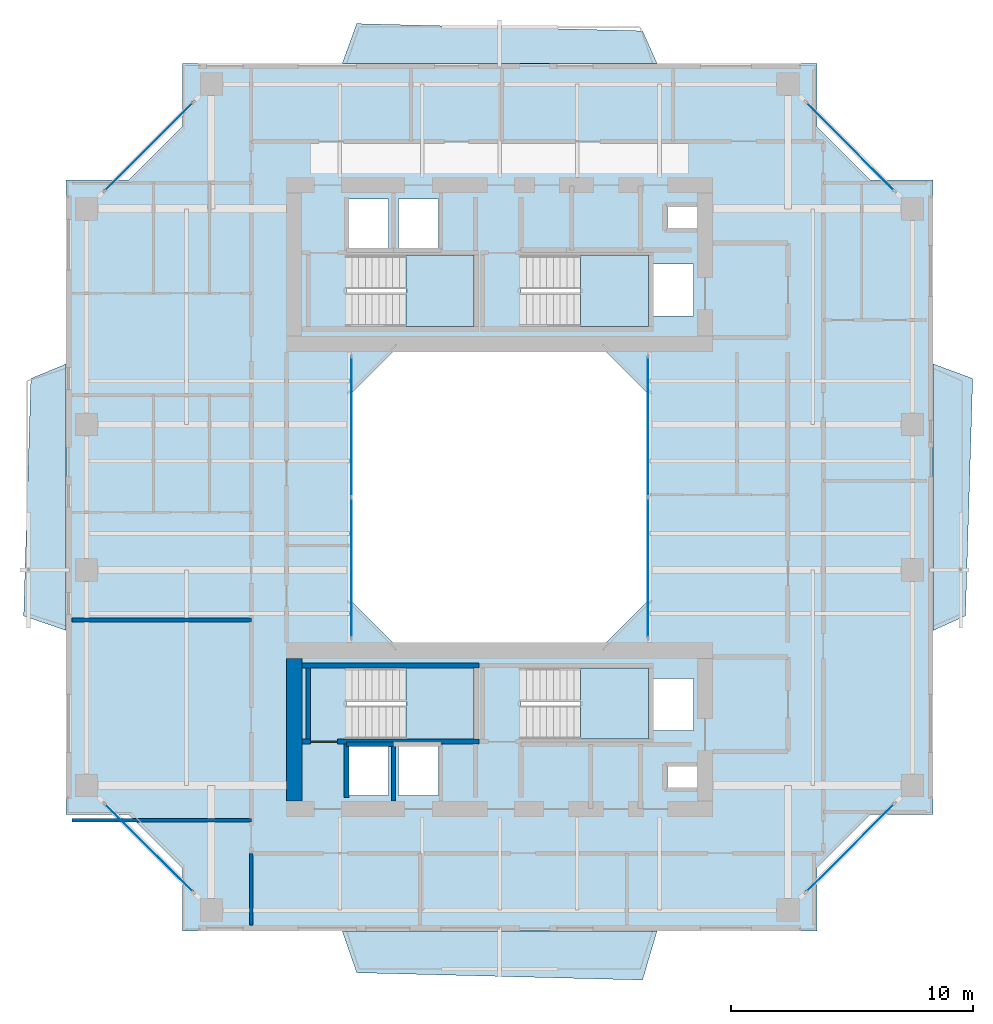
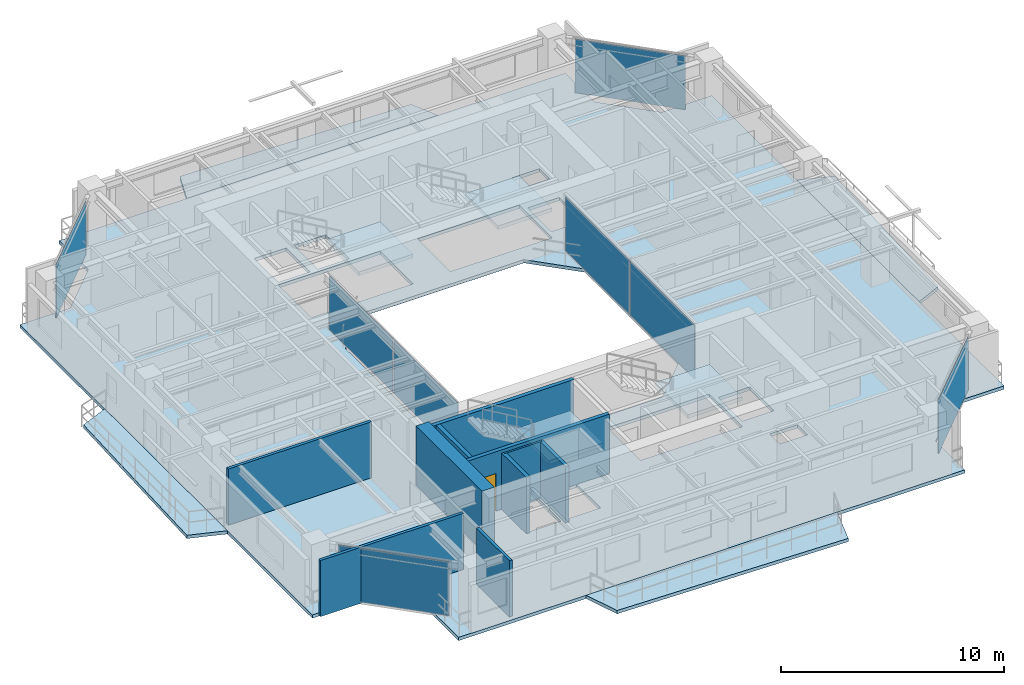
# One storey, part 9 of 17: 10 walls, 9 slabs, 8 plates, 1 door, 1 opening, 10 elements without a shape of their own.
"""IFC4 building model written with IfcOpenShell, lengths in metres."""

from ifc_helpers import new_model, si_unit, direction, frame, frame_2d, origin, origin_2d, place, context, subcontext, project, spatial, polyline, rectangle, outline, extrude, source, transform, mapped, material, layer, layer_set, type_object, element, fill, aggregate, save


model = new_model("IFC4")

# Units and contexts
model_context = context("Model", 3, precision=1e-05, world=origin(), true_north=direction((0.0, 1.0)))
body_context = subcontext(model_context, "Body", "Model", "MODEL_VIEW")
ifc_project = project(units=[si_unit("LENGTHUNIT", "METRE"), si_unit("AREAUNIT", "SQUARE_METRE"), si_unit("VOLUMEUNIT", "CUBIC_METRE"), si_unit("PLANEANGLEUNIT", "RADIAN"), si_unit("MASSUNIT", "GRAM", prefix="KILO"), si_unit("THERMODYNAMICTEMPERATUREUNIT", "KELVIN"), si_unit("POWERUNIT", "WATT")], contexts=[model_context])

# Site, building, storey
site_placement = place(None, origin())
site = spatial("IfcSite", under=ifc_project, at=site_placement, CompositionType="ELEMENT")
building_placement = place(site_placement, origin())
building = spatial("IfcBuilding", under=site, at=building_placement, Name="Qiaomeng Ring Towers", CompositionType="ELEMENT")
storey_placement = place(building_placement, frame((0.0, 0.0, 150.25)))
storey = spatial("IfcBuildingStorey", under=building, at=storey_placement, Name="L43", CompositionType="ELEMENT", Elevation=150.25)

# Slabs
ifc_material_1 = material(Name="Concrete C40", Category="concrete")
ifc_layer_1 = layer(ifc_material_1, 0.179931640625, Name="Concrete C40")
ifc_layer_set_1 = layer_set([ifc_layer_1], Name="Concrete C40")
slab_type_1 = type_object("IfcSlabType", Name="STR-SL-180", PredefinedType="FLOOR", material=ifc_layer_set_1)
slab_1_placement = place(storey_placement, frame((0.0, 0.0, -0.179931640625)))
element("IfcSlab", 1, at=slab_1_placement, inside=storey, type_object=slab_type_1, Name="L43 Tower 1 Annular Floor Slab", PredefinedType="FLOOR", context=body_context, shape_type="SweptSolid", body=[
    extrude(outline(polyline([(5.89990234375, 5.10009765625), (32.10009765625, 5.10009765625), (32.10009765625, 7.699951171875), (34.300048828125, 9.89990234375), (36.89990234375, 9.89990234375), (36.89990234375, 36.10009765625), (34.300048828125, 36.10009765625), (32.10009765625, 38.300048828125), (32.10009765625, 40.89990234375), (5.89990234375, 40.89990234375), (5.89990234375, 38.300048828125), (3.699951171875, 36.10009765625), (1.10009765625, 36.10009765625), (1.10009765625, 9.89990234375), (3.699951171875, 9.89990234375), (5.89990234375, 7.699951171875), (5.89990234375, 5.10009765625)]), holes=[polyline([(12.780029296875, 10.679931640625), (12.780029296875, 12.820068359375), (14.419921875, 12.820068359375), (14.419921875, 10.679931640625), (12.780029296875, 10.679931640625)]), polyline([(14.830078125, 12.820068359375), (16.469970703125, 12.820068359375), (16.469970703125, 10.679931640625), (14.830078125, 10.679931640625), (14.830078125, 12.820068359375)]), polyline([(12.679931640625, 15.949951171875), (17.949951171875, 15.949951171875), (17.949951171875, 13.010009765625), (12.679931640625, 13.010009765625), (12.679931640625, 15.949951171875)]), polyline([(23.199951171875, 29.199951171875), (25.199951171875, 27.199951171875), (25.199951171875, 18.800048828125), (23.199951171875, 16.800048828125), (14.800048828125, 16.800048828125), (12.800048828125, 18.800048828125), (12.800048828125, 27.199951171875), (14.800048828125, 29.199951171875), (23.199951171875, 29.199951171875)]), polyline([(12.679931640625, 32.989990234375), (17.949951171875, 32.989990234375), (17.949951171875, 30.050048828125), (12.679931640625, 30.050048828125), (12.679931640625, 32.989990234375)]), polyline([(12.780029296875, 35.320068359375), (14.419921875, 35.320068359375), (14.419921875, 33.179931640625), (12.780029296875, 33.179931640625), (12.780029296875, 35.320068359375)]), polyline([(14.830078125, 33.179931640625), (14.830078125, 35.320068359375), (16.469970703125, 35.320068359375), (16.469970703125, 33.179931640625), (14.830078125, 33.179931640625)]), polyline([(25.919921875, 11.89990234375), (27.360107421875, 11.89990234375), (27.360107421875, 11.0), (25.919921875, 11.0), (25.919921875, 11.89990234375)]), polyline([(25.360107421875, 15.52001953125), (27.0, 15.52001953125), (27.0, 13.3798828125), (25.360107421875, 13.3798828125), (25.360107421875, 15.52001953125)]), polyline([(19.8798828125, 15.949951171875), (25.14990234375, 15.949951171875), (25.14990234375, 13.010009765625), (19.8798828125, 13.010009765625), (19.8798828125, 15.949951171875)]), polyline([(19.8798828125, 32.989990234375), (25.14990234375, 32.989990234375), (25.14990234375, 30.050048828125), (19.8798828125, 30.050048828125), (19.8798828125, 32.989990234375)]), polyline([(25.360107421875, 32.6201171875), (27.0, 32.6201171875), (27.0, 30.47998046875), (25.360107421875, 30.47998046875), (25.360107421875, 32.6201171875)]), polyline([(25.919921875, 35.0), (27.360107421875, 35.0), (27.360107421875, 34.10009765625), (25.919921875, 34.10009765625), (25.919921875, 35.0)])]), origin(), (0.0, 0.0, 1.0), 0.179931640625),
])
ifc_layer_2 = layer(ifc_material_1, 0.179931640625, Name="Concrete C40")
ifc_layer_set_2 = layer_set([ifc_layer_2], Name="Concrete C40")
slab_type_2 = type_object("IfcSlabType", Name="STR-SL-BAL", PredefinedType="FLOOR", material=ifc_layer_set_2)
slab_2_placement = place(storey_placement, frame((0.0, 0.0, -0.179931640625)))
element("IfcSlab", 2, at=slab_2_placement, inside=storey, type_object=slab_type_2, Name="L43 Tower 1 S Faceted Balcony Slab", PredefinedType="FLOOR", context=body_context, shape_type="SweptSolid", body=[
    extrude(outline(polyline([(24.89990234375, 3.070068359375), (13.10009765625, 3.3701171875), (12.5, 5.10009765625), (25.5, 5.10009765625), (24.89990234375, 3.070068359375)])), origin(), (0.0, 0.0, 1.0), 0.179931640625),
])
slab_3_placement = place(storey_placement, frame((0.0, 0.0, -0.179931640625)))
element("IfcSlab", 3, at=slab_3_placement, inside=storey, type_object=slab_type_2, Name="L43 Tower 1 E Faceted Balcony Slab", PredefinedType="FLOOR", context=body_context, shape_type="SweptSolid", body=[
    extrude(outline(polyline([(38.530029296875, 27.89990234375), (38.22998046875, 18.10009765625), (36.89990234375, 17.5), (36.89990234375, 28.5), (38.530029296875, 27.89990234375)])), origin(), (0.0, 0.0, 1.0), 0.179931640625),
])
slab_4_placement = place(storey_placement, frame((0.0, 0.0, -0.179931640625)))
element("IfcSlab", 4, at=slab_4_placement, inside=storey, type_object=slab_type_2, Name="L43 Tower 1 N Faceted Balcony Slab", PredefinedType="FLOOR", context=body_context, shape_type="SweptSolid", body=[
    extrude(outline(polyline([(12.5, 40.89990234375), (13.10009765625, 42.550048828125), (24.89990234375, 42.25), (25.5, 40.89990234375), (12.5, 40.89990234375)])), origin(), (0.0, 0.0, 1.0), 0.179931640625),
])
slab_5_placement = place(storey_placement, frame((0.0, 0.0, -0.179931640625)))
element("IfcSlab", 5, at=slab_5_placement, inside=storey, type_object=slab_type_2, Name="L43 Tower 1 W Faceted Balcony Slab", PredefinedType="FLOOR", context=body_context, shape_type="SweptSolid", body=[
    extrude(outline(polyline([(-0.64990234375, 18.10009765625), (-0.35009765625, 27.89990234375), (1.10009765625, 28.5), (1.10009765625, 17.5), (-0.64990234375, 18.10009765625)])), origin(), (0.0, 0.0, 1.0), 0.179931640625),
])

# Stair, slab
ifc_material_2 = material(Name="Precast concrete C40", Category="concrete")
stair_type = type_object("IfcStairType", Name="ARC-ST-325", PredefinedType="HALF_TURN_STAIR", material=ifc_material_2)
stair_1_placement = place(storey_placement, origin())
stair_1 = element("IfcStair", 6, at=stair_1_placement, inside=storey, type_object=stair_type, Name="L43 Tower 1 North Stair 1", PredefinedType="HALF_TURN_STAIR")
ifc_layer_3 = layer(ifc_material_1, 0.199951171875, Name="Concrete C40")
ifc_layer_set_3 = layer_set([ifc_layer_3], Name="Concrete C40")
slab_type_3 = type_object("IfcSlabType", Name="STR-SL-LANDING", PredefinedType="LANDING", material=ifc_layer_set_3)
slab_6_placement = place(storey_placement, frame((0.0, 0.0, 1.425048828125)))
slab_6 = element("IfcSlab", 7, at=slab_6_placement, type_object=slab_type_3, Name="ST1 landing 1", PredefinedType="LANDING", context=body_context, shape_type="SweptSolid", body=[
    extrude(outline(polyline([(15.139892578125, 30.050048828125), (17.949951171875, 30.050048828125), (17.949951171875, 32.989990234375), (15.139892578125, 32.989990234375), (15.139892578125, 30.050048828125)])), origin(), (0.0, 0.0, 1.0), 0.199951171875),
])
aggregate(stair_1, [slab_6])

stair_2_placement = place(storey_placement, origin())
stair_2 = element("IfcStair", 8, at=stair_2_placement, inside=storey, type_object=stair_type, Name="L43 Tower 1 North Stair 2", PredefinedType="HALF_TURN_STAIR")
slab_7_placement = place(storey_placement, frame((0.0, 0.0, 1.425048828125)))
slab_7 = element("IfcSlab", 9, at=slab_7_placement, type_object=slab_type_3, Name="ST2 landing 1", PredefinedType="LANDING", context=body_context, shape_type="SweptSolid", body=[
    extrude(outline(polyline([(22.340087890625, 30.050048828125), (25.14990234375, 30.050048828125), (25.14990234375, 32.989990234375), (22.340087890625, 32.989990234375), (22.340087890625, 30.050048828125)])), origin(), (0.0, 0.0, 1.0), 0.199951171875),
])
aggregate(stair_2, [slab_7])

stair_3_placement = place(storey_placement, origin())
stair_3 = element("IfcStair", 10, at=stair_3_placement, inside=storey, type_object=stair_type, Name="L43 Tower 1 South Stair 3", PredefinedType="HALF_TURN_STAIR")
slab_8_placement = place(storey_placement, frame((0.0, 0.0, 1.425048828125)))
slab_8 = element("IfcSlab", 11, at=slab_8_placement, type_object=slab_type_3, Name="ST3 landing 1", PredefinedType="LANDING", context=body_context, shape_type="SweptSolid", body=[
    extrude(outline(polyline([(15.139892578125, 13.010009765625), (17.949951171875, 13.010009765625), (17.949951171875, 15.949951171875), (15.139892578125, 15.949951171875), (15.139892578125, 13.010009765625)])), origin(), (0.0, 0.0, 1.0), 0.199951171875),
])
aggregate(stair_3, [slab_8])

stair_4_placement = place(storey_placement, origin())
stair_4 = element("IfcStair", 12, at=stair_4_placement, inside=storey, type_object=stair_type, Name="L43 Tower 1 South Stair 4", PredefinedType="HALF_TURN_STAIR")
slab_9_placement = place(storey_placement, frame((0.0, 0.0, 1.425048828125)))
slab_9 = element("IfcSlab", 13, at=slab_9_placement, type_object=slab_type_3, Name="ST4 landing 1", PredefinedType="LANDING", context=body_context, shape_type="SweptSolid", body=[
    extrude(outline(polyline([(22.340087890625, 13.010009765625), (25.14990234375, 13.010009765625), (25.14990234375, 15.949951171875), (22.340087890625, 15.949951171875), (22.340087890625, 13.010009765625)])), origin(), (0.0, 0.0, 1.0), 0.199951171875),
])
aggregate(stair_4, [slab_9])

# Curtain wall, plates
ifc_material_3 = material(Name="Fluorocarbon dark-grey aluminium", Category="aluminium")
ifc_layer_4 = layer(ifc_material_3, 0.139892578125, Name="Fluorocarbon dark-grey aluminium")
ifc_layer_set_4 = layer_set([ifc_layer_4], Name="Fluorocarbon dark-grey aluminium")
curtain_wall_type_1 = type_object("IfcCurtainWallType", Name="ARC-CW-4", PredefinedType="NOTDEFINED", material=ifc_layer_set_4)
curtain_wall_1_placement = place(storey_placement, origin())
curtain_wall_1 = element("IfcCurtainWall", 14, at=curtain_wall_1_placement, inside=storey, type_object=curtain_wall_type_1, Name="L43 Curtain Wall CW4", PredefinedType="NOTDEFINED")
ifc_material_4 = material(Name="Low-E dark-grey laminated double glazing", Category="glass")
ifc_layer_5 = layer(ifc_material_4, 0.028076171875, Name="Low-E dark-grey laminated double glazing")
ifc_layer_set_5 = layer_set([ifc_layer_5], Name="Low-E dark-grey laminated double glazing")
plate_type = type_object("IfcPlateType", Name="ARC-CWP-DARK", PredefinedType="CURTAIN_PANEL", material=ifc_layer_set_5)
shared_shape_1 = source(origin(), body_context, "Body", "SweptSolid", [
    extrude(rectangle(XDim=5.75244140625, YDim=0.028076171875, at=origin_2d()), origin(), (0.0, 0.0, 1.0), 2.93994140625),
])
plate_1_placement = place(storey_placement, frame((12.8798828125, 20.09130859375, 0.06494140625), z_axis=(0.0, 0.0, 1.0), x_axis=(0.0, 1.0, 0.0)))
plate_1 = element("IfcPlate", 15, at=plate_1_placement, type_object=plate_type, Name="CW4 panel 1.1", PredefinedType="CURTAIN_PANEL", context=body_context, shape_type="MappedRepresentation", body=[
    mapped(shared_shape_1, transform((0.0, 0.0, 0.0), x_axis=(1.0, 0.0, 0.0), y_axis=(0.0, 1.0, 0.0), z_axis=(0.0, 0.0, 1.0), scale=1.0)),
])
plate_2_placement = place(storey_placement, frame((12.8798828125, 25.90869140625, 0.06494140625), z_axis=(0.0, 0.0, 1.0), x_axis=(0.0, 1.0, 0.0)))
plate_2 = element("IfcPlate", 16, at=plate_2_placement, type_object=plate_type, Name="CW4 panel 2.1", PredefinedType="CURTAIN_PANEL", context=body_context, shape_type="MappedRepresentation", body=[
    mapped(shared_shape_1, transform((0.0, 0.0, 0.0), x_axis=(1.0, 0.0, 0.0), y_axis=(0.0, 1.0, 0.0), z_axis=(0.0, 0.0, 1.0), scale=1.0)),
])
aggregate(curtain_wall_1, [plate_1, plate_2])

curtain_wall_2_placement = place(storey_placement, origin())
curtain_wall_2 = element("IfcCurtainWall", 17, at=curtain_wall_2_placement, inside=storey, type_object=curtain_wall_type_1, Name="L43 Curtain Wall CW4", PredefinedType="NOTDEFINED")
plate_3_placement = place(storey_placement, frame((25.1201171875, 20.09130859375, 0.06494140625), z_axis=(0.0, 0.0, 1.0), x_axis=(0.0, 1.0, 0.0)))
plate_3 = element("IfcPlate", 18, at=plate_3_placement, type_object=plate_type, Name="CW4 panel 1.1", PredefinedType="CURTAIN_PANEL", context=body_context, shape_type="MappedRepresentation", body=[
    mapped(shared_shape_1, transform((0.0, 0.0, 0.0), x_axis=(1.0, 0.0, 0.0), y_axis=(0.0, 1.0, 0.0), z_axis=(0.0, 0.0, 1.0), scale=1.0)),
])
plate_4_placement = place(storey_placement, frame((25.1201171875, 25.90869140625, 0.06494140625), z_axis=(0.0, 0.0, 1.0), x_axis=(0.0, 1.0, 0.0)))
plate_4 = element("IfcPlate", 19, at=plate_4_placement, type_object=plate_type, Name="CW4 panel 2.1", PredefinedType="CURTAIN_PANEL", context=body_context, shape_type="MappedRepresentation", body=[
    mapped(shared_shape_1, transform((0.0, 0.0, 0.0), x_axis=(1.0, 0.0, 0.0), y_axis=(0.0, 1.0, 0.0), z_axis=(0.0, 0.0, 1.0), scale=1.0)),
])
aggregate(curtain_wall_2, [plate_3, plate_4])

# Curtain wall, plate
ifc_layer_6 = layer(ifc_material_3, 0.14990234375, Name="Fluorocarbon dark-grey aluminium")
ifc_layer_set_6 = layer_set([ifc_layer_6], Name="Fluorocarbon dark-grey aluminium")
curtain_wall_type_2 = type_object("IfcCurtainWallType", Name="ARC-CW-3", PredefinedType="NOTDEFINED", material=ifc_layer_set_6)
curtain_wall_3_placement = place(storey_placement, origin())
curtain_wall_3 = element("IfcCurtainWall", 20, at=curtain_wall_3_placement, inside=storey, type_object=curtain_wall_type_2, Name="L43 Curtain Wall CW3", PredefinedType="NOTDEFINED")
shared_shape_2 = source(origin(), body_context, "Body", "SweptSolid", [
    extrude(rectangle(XDim=5.120849609375, YDim=0.028076171875, at=origin_2d()), origin(), (0.0, 0.0, 1.0), 2.93994140625),
])
plate_5_placement = place(storey_placement, frame((33.47509765625, 8.52490234375, 0.06494140625), z_axis=(0.0, 0.0, 1.0), x_axis=(0.707106781187, 0.707106781187, 0.0)))
plate_5 = element("IfcPlate", 21, at=plate_5_placement, type_object=plate_type, Name="CW3 panel 1.1", PredefinedType="CURTAIN_PANEL", context=body_context, shape_type="MappedRepresentation", body=[
    mapped(shared_shape_2, transform((0.0, 0.0, 0.0), x_axis=(1.0, 0.0, 0.0), y_axis=(0.0, 1.0, 0.0), z_axis=(0.0, 0.0, 1.0), scale=1.0)),
])
aggregate(curtain_wall_3, [plate_5])

curtain_wall_4_placement = place(storey_placement, origin())
curtain_wall_4 = element("IfcCurtainWall", 22, at=curtain_wall_4_placement, inside=storey, type_object=curtain_wall_type_2, Name="L43 Curtain Wall CW3", PredefinedType="NOTDEFINED")
plate_6_placement = place(storey_placement, frame((33.47509765625, 37.47509765625, 0.06494140625), z_axis=(0.0, 0.0, 1.0), x_axis=(-0.707106781187, 0.707106781187, 0.0)))
plate_6 = element("IfcPlate", 23, at=plate_6_placement, type_object=plate_type, Name="CW3 panel 1.1", PredefinedType="CURTAIN_PANEL", context=body_context, shape_type="MappedRepresentation", body=[
    mapped(shared_shape_2, transform((0.0, 0.0, 0.0), x_axis=(1.0, 0.0, 0.0), y_axis=(0.0, 1.0, 0.0), z_axis=(0.0, 0.0, 1.0), scale=1.0)),
])
aggregate(curtain_wall_4, [plate_6])

curtain_wall_5_placement = place(storey_placement, origin())
curtain_wall_5 = element("IfcCurtainWall", 24, at=curtain_wall_5_placement, inside=storey, type_object=curtain_wall_type_2, Name="L43 Curtain Wall CW3", PredefinedType="NOTDEFINED")
plate_7_placement = place(storey_placement, frame((4.52490234375, 37.47509765625, 0.06494140625), z_axis=(0.0, 0.0, 1.0), x_axis=(-0.707106781187, -0.707106781187, 0.0)))
plate_7 = element("IfcPlate", 25, at=plate_7_placement, type_object=plate_type, Name="CW3 panel 1.1", PredefinedType="CURTAIN_PANEL", context=body_context, shape_type="MappedRepresentation", body=[
    mapped(shared_shape_2, transform((0.0, 0.0, 0.0), x_axis=(1.0, 0.0, 0.0), y_axis=(0.0, 1.0, 0.0), z_axis=(0.0, 0.0, 1.0), scale=1.0)),
])
aggregate(curtain_wall_5, [plate_7])

curtain_wall_6_placement = place(storey_placement, origin())
curtain_wall_6 = element("IfcCurtainWall", 26, at=curtain_wall_6_placement, inside=storey, type_object=curtain_wall_type_2, Name="L43 Curtain Wall CW3", PredefinedType="NOTDEFINED")
plate_8_placement = place(storey_placement, frame((4.52490234375, 8.52490234375, 0.06494140625), z_axis=(0.0, 0.0, 1.0), x_axis=(0.707106781187, -0.707106781187, 0.0)))
plate_8 = element("IfcPlate", 27, at=plate_8_placement, type_object=plate_type, Name="CW3 panel 1.1", PredefinedType="CURTAIN_PANEL", context=body_context, shape_type="MappedRepresentation", body=[
    mapped(shared_shape_2, transform((0.0, 0.0, 0.0), x_axis=(1.0, 0.0, 0.0), y_axis=(0.0, 1.0, 0.0), z_axis=(0.0, 0.0, 1.0), scale=1.0)),
])
aggregate(curtain_wall_6, [plate_8])

# Walls
ifc_material_5 = material(Name="Autoclaved aerated concrete block", Category="concrete")
ifc_layer_7 = layer(ifc_material_5, 0.199951171875, Name="Autoclaved aerated concrete block")
ifc_layer_set_7 = layer_set([ifc_layer_7], Name="Autoclaved aerated concrete block")
wall_type_1 = type_object("IfcWallType", Name="ARC-WL-PW1", PredefinedType="PARTITIONING", material=ifc_layer_set_7)
wall_1_placement = place(storey_placement, frame((12.679931640625, 10.60009765625, 0.0), z_axis=(0.0, 0.0, 1.0), x_axis=(0.0, 1.0, 0.0)))
element("IfcWall", 28, at=wall_1_placement, inside=storey, type_object=wall_type_1, Name="L43 Interior Wall PW1", PredefinedType="PARTITIONING", context=body_context, shape_type="SweptSolid", body=[
    extrude(rectangle(XDim=2.2099609375, YDim=0.199951171875, at=frame_2d((1.10498046875, 0.0))), origin(), (0.0, 0.0, 1.0), 3.070068359375),
])
ifc_material_6 = material(Name="Gypsum fireboard steel-stud partition", Category="steel")
ifc_layer_8 = layer(ifc_material_6, 0.14990234375, Name="Gypsum fireboard steel-stud partition")
ifc_layer_set_8 = layer_set([ifc_layer_8], Name="Gypsum fireboard steel-stud partition")
wall_type_2 = type_object("IfcWallType", Name="ARC-WL-PW3", PredefinedType="PARTITIONING", material=ifc_layer_set_8)
wall_2_placement = place(storey_placement, frame((8.75, 5.35009765625, 0.0), z_axis=(0.0, 0.0, 1.0), x_axis=(0.0, 1.0, 0.0)))
element("IfcWall", 29, at=wall_2_placement, inside=storey, type_object=wall_type_2, Name="L43 Interior Wall PW3", PredefinedType="PARTITIONING", context=body_context, shape_type="SweptSolid", body=[
    extrude(rectangle(XDim=2.949951171875, YDim=0.14990234375, at=frame_2d((1.47509765625, 0.0))), origin(), (0.0, 0.0, 1.0), 3.070068359375),
])
for number, where, z_axis, x_axis, name in (
    (30, (1.35009765625, 9.669921875, 0.0), (0.0, 0.0, 1.0), (1.0, 0.0, 0.0), "L43 Interior Wall PW3"),
    (31, (1.35009765625, 17.929931640625, 0.0), (0.0, 0.0, 1.0), (1.0, 0.0, 0.0), "L43 Interior Wall PW3"),
):
    element("IfcWall", number, at=place(storey_placement, frame(where, z_axis=z_axis, x_axis=x_axis)), inside=storey, type_object=wall_type_2, Name=name, PredefinedType="PARTITIONING", context=body_context, shape_type="SweptSolid", body=[
        extrude(rectangle(XDim=7.39990234375, YDim=0.14990234375, at=frame_2d((3.699951171875, 0.0))), origin(), (0.0, 0.0, 1.0), 3.070068359375),
    ])
ifc_layer_9 = layer(ifc_material_1, 0.199951171875, Name="Concrete C40")
ifc_layer_set_9 = layer_set([ifc_layer_9], Name="Concrete C40")
wall_type_3 = type_object("IfcWallType", Name="STR-WL-STSHAFT", PredefinedType="SHEAR", material=ifc_layer_set_9)
wall_3_placement = place(storey_placement, frame((12.679931640625, 12.800048828125, 0.0), z_axis=(0.0, 0.0, 1.0), x_axis=(1.0, 0.0, 0.0)))
element("IfcWall", 32, at=wall_3_placement, inside=storey, type_object=wall_type_3, Name="L43 Lift LP6 Shaft Back Wall", PredefinedType="SHEAR", context=body_context, shape_type="SweptSolid", body=[
    extrude(rectangle(XDim=1.940185546875, YDim=0.179931640625, at=frame_2d((0.97021484375, 0.0))), origin(), (0.0, 0.0, 1.0), 3.070068359375),
])
wall_4_placement = place(storey_placement, frame((14.6201171875, 10.449951171875, 0.0), z_axis=(0.0, 0.0, 1.0), x_axis=(0.0, 1.0, 0.0)))
element("IfcWall", 33, at=wall_4_placement, inside=storey, type_object=wall_type_3, Name="L43 Lift LP6-LP4 Shaft Divider Wall", PredefinedType="SHEAR", context=body_context, shape_type="SweptSolid", body=[
    extrude(rectangle(XDim=2.35009765625, YDim=0.179931640625, at=frame_2d((1.175048828125, 0.0))), origin(), (0.0, 0.0, 1.0), 3.070068359375),
])

# Wall, opening, door
wall_5_placement = place(storey_placement, frame((10.85009765625, 12.909912109375, 0.0), z_axis=(0.0, 0.0, 1.0), x_axis=(1.0, 0.0, 0.0)))
wall_5 = element("IfcWall", 34, at=wall_5_placement, inside=storey, type_object=wall_type_3, Name="L43 Stair ST3 South Shaft Shear Wall", PredefinedType="SHEAR", context=body_context, shape_type="SweptSolid", body=[
    extrude(rectangle(XDim=7.2998046875, YDim=0.199951171875, at=frame_2d((3.64990234375, 0.0))), origin(), (0.0, 0.0, 1.0), 3.25),
])
opening_placement = place(wall_5_placement, frame((0.35009765625, 0.0, 0.0)))
opening = element("IfcOpeningElement", 35, at=opening_placement, cuts=wall_5, Name="Opening FD3", PredefinedType="OPENING", context=body_context, shape_type="SweptSolid", body=[
    extrude(rectangle(XDim=1.10009765625, YDim=2.050048828125, at=frame_2d((0.550048828125, 1.02490234375))), frame((0.0, 0.10986328125, 0.0), z_axis=(0.0, -1.0, 0.0), x_axis=(1.0, 0.0, 0.0)), (0.0, 0.0, 1.0), 0.219970703125),
])
ifc_material_7 = material(Name="Galvanised steel", Category="steel")
door_type = type_object("IfcDoorType", Name="ARC-DR-FD3", OperationType="NOTDEFINED", PredefinedType="DOOR", material=ifc_material_7)
shared_shape_3 = source(origin(), body_context, "Body", "SweptSolid", [
    extrude(rectangle(XDim=1.10009765625, YDim=2.050048828125, at=frame_2d((0.550048828125, 1.02490234375))), frame((0.0, 0.02490234375, 0.0), z_axis=(0.0, -1.0, 0.0), x_axis=(1.0, 0.0, 0.0)), (0.0, 0.0, 1.0), 0.050048828125),
])
door_placement = place(opening_placement, frame((1.10009765625, 0.0, 0.0), z_axis=(0.0, 0.0, 1.0), x_axis=(-1.0, 0.0, 0.0)))
door = element("IfcDoor", 36, at=door_placement, inside=storey, type_object=door_type, Name="L43 Stair ST3 Exit Door", OperationType="SINGLE_SWING_LEFT", OverallHeight=2.050048828125, OverallWidth=1.10009765625, PredefinedType="DOOR", context=body_context, shape_type="MappedRepresentation", body=[
    mapped(shared_shape_3, transform((0.0, 0.0, 0.0), x_axis=(1.0, 0.0, 0.0), y_axis=(0.0, 1.0, 0.0), z_axis=(0.0, 0.0, 1.0), scale=1.0)),
])
fill(opening, door)

# Walls
wall_6_placement = place(storey_placement, frame((10.85009765625, 16.050048828125, 0.0), z_axis=(0.0, 0.0, 1.0), x_axis=(1.0, 0.0, 0.0)))
element("IfcWall", 37, at=wall_6_placement, inside=storey, type_object=wall_type_3, Name="L43 Stair ST3 North Shaft Shear Wall", PredefinedType="SHEAR", context=body_context, shape_type="SweptSolid", body=[
    extrude(rectangle(XDim=7.2998046875, YDim=0.199951171875, at=frame_2d((3.64990234375, 0.0))), origin(), (0.0, 0.0, 1.0), 3.25),
])
wall_7_placement = place(storey_placement, frame((11.10009765625, 13.010009765625, 0.0), z_axis=(0.0, 0.0, 1.0), x_axis=(0.0, 1.0, 0.0)))
element("IfcWall", 38, at=wall_7_placement, inside=storey, type_object=wall_type_3, Name="L43 Stair ST3 West Shaft Shear Wall", PredefinedType="SHEAR", context=body_context, shape_type="SweptSolid", body=[
    extrude(rectangle(XDim=2.93994140625, YDim=0.199951171875, at=frame_2d((1.469970703125, 0.0))), origin(), (0.0, 0.0, 1.0), 3.25),
])
ifc_material_8 = material(Name="Concrete C50", Category="concrete")
ifc_layer_10 = layer(ifc_material_8, 0.64990234375, Name="Concrete C50")
ifc_layer_set_10 = layer_set([ifc_layer_10], Name="Concrete C50")
wall_type_4 = type_object("IfcWallType", Name="STR-WL-SW2B", PredefinedType="SHEAR", material=ifc_layer_set_10)
wall_8_placement = place(storey_placement, frame((10.52490234375, 10.449951171875, 0.0), z_axis=(0.0, 0.0, 1.0), x_axis=(0.0, 1.0, 0.0)))
element("IfcWall", 39, at=wall_8_placement, inside=storey, type_object=wall_type_4, Name="L43 T1SC west core shear wall", PredefinedType="SHEAR", context=body_context, shape_type="SweptSolid", body=[
    extrude(rectangle(XDim=5.900146484375, YDim=0.64990234375, at=frame_2d((2.9501953125, 0.0))), origin(), (0.0, 0.0, 1.0), 3.25),
])

save(model, "model.ifc")
